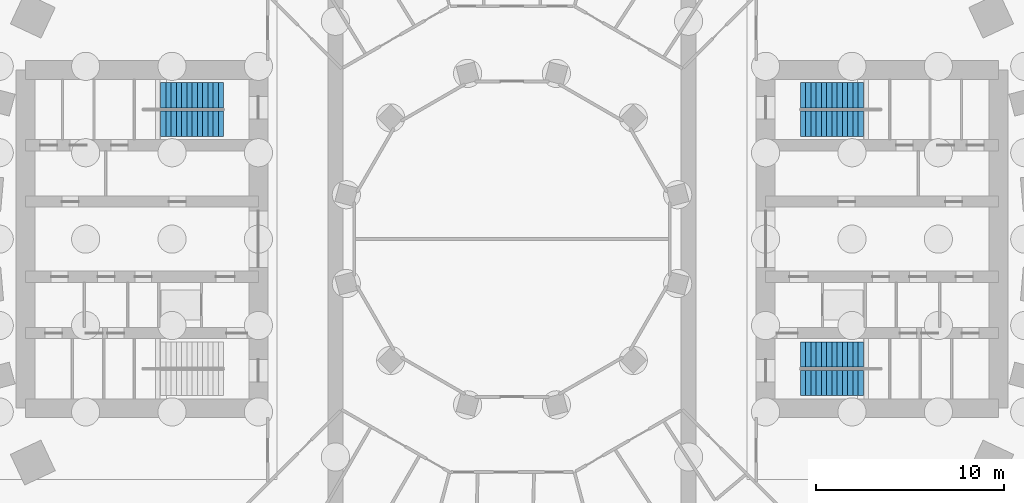
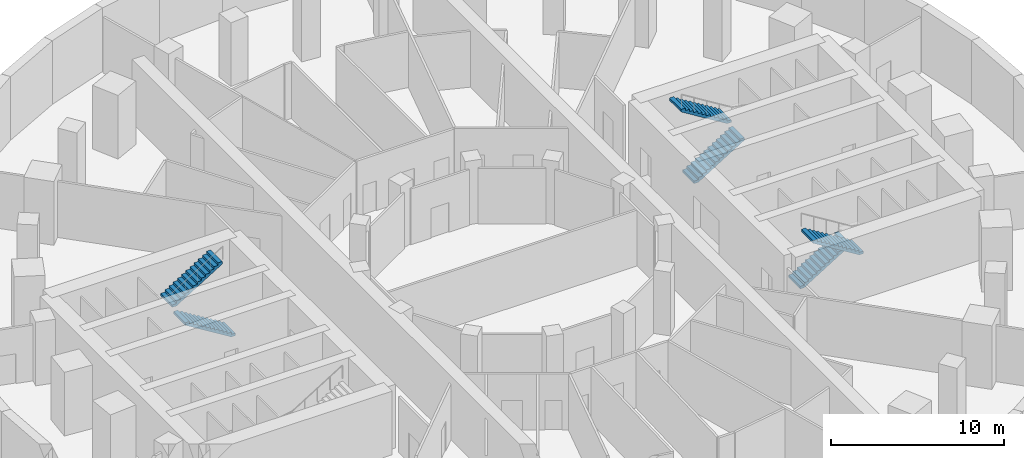
# One storey, part 8 of 10: 6 stair flights, 3 elements without a shape of their own.
"""IFC4 building model written with IfcOpenShell, lengths in metres."""

from ifc_helpers import new_model, si_unit, direction, frame, origin, place, context, subcontext, project, spatial, polyline, outline, extrude, material, type_object, element, aggregate, save


model = new_model("IFC4")

# Units and contexts
model_context = context("Model", 3, precision=1e-05, world=origin(), true_north=direction((0.0, 1.0)))
body_context = subcontext(model_context, "Body", "Model", "MODEL_VIEW")
ifc_project = project(units=[si_unit("LENGTHUNIT", "METRE"), si_unit("AREAUNIT", "SQUARE_METRE"), si_unit("VOLUMEUNIT", "CUBIC_METRE"), si_unit("PLANEANGLEUNIT", "RADIAN"), si_unit("MASSUNIT", "GRAM", prefix="KILO")], contexts=[model_context])

# Site, building, storey
site_placement = place(None, origin())
site = spatial("IfcSite", under=ifc_project, at=site_placement, CompositionType="ELEMENT")
building_placement = place(site_placement, origin())
building = spatial("IfcBuilding", under=site, at=building_placement, Name="Saqina Gate Tower", CompositionType="ELEMENT")
storey_placement = place(building_placement, frame((0.0, 0.0, -9.0)))
storey = spatial("IfcBuildingStorey", under=building, at=storey_placement, Name="B2", CompositionType="ELEMENT", Elevation=-9.0)

# Stair, stair flights
ifc_material_1 = material(Name="Concrete C40/50", Category="concrete")
stair_type = type_object("IfcStairType", Name="EXIT STAIR", PredefinedType="HALF_TURN_STAIR", material=ifc_material_1)
stair_1_placement = place(storey_placement, origin())
stair_1 = element("IfcStair", 1, at=stair_1_placement, inside=storey, type_object=stair_type, Name="EXIT STAIR 1", PredefinedType="HALF_TURN_STAIR")
ifc_material_2 = material(Name="Concrete C40/50", Category="concrete")
stair_flight_type = type_object("IfcStairFlightType", Name="EXIT STAIR FLIGHT", PredefinedType="STRAIGHT", material=ifc_material_2)
stair_flight_1_placement = place(storey_placement, frame((15.35009765625, 6.1416015625, 0.0), z_axis=(0.0, 0.0, 1.0), x_axis=(1.0, 0.0, 0.0)))
stair_flight_1 = element("IfcStairFlight", 2, at=stair_flight_1_placement, type_object=stair_flight_type, Name="EXIT STAIR 1 FLIGHT 1", NumberOfRisers=13, NumberOfTreads=12, PredefinedType="STRAIGHT", RiserHeight=0.173076923, TreadLength=0.28, context=body_context, shape_type="SweptSolid", body=[
    extrude(outline(polyline([(0.0, 0.0), (0.0, 0.173095703125), (0.280029296875, 0.173095703125), (0.280029296875, 0.34619140625), (0.56005859375, 0.34619140625), (0.56005859375, 0.519287109375), (0.840087890625, 0.519287109375), (0.840087890625, 0.6923828125), (1.1201171875, 0.6923828125), (1.1201171875, 0.865478515625), (1.39990234375, 0.865478515625), (1.39990234375, 1.03857421875), (1.679931640625, 1.03857421875), (1.679931640625, 1.21142578125), (1.9599609375, 1.21142578125), (1.9599609375, 1.384521484375), (2.239990234375, 1.384521484375), (2.239990234375, 1.5576171875), (2.52001953125, 1.5576171875), (2.52001953125, 1.730712890625), (2.800048828125, 1.730712890625), (2.800048828125, 1.90380859375), (3.080078125, 1.90380859375), (3.080078125, 2.076904296875), (3.360107421875, 2.076904296875), (3.360107421875, 2.25), (3.360107421875, 1.900634765625), (0.28515625, 0.0), (0.0, 0.0)])), frame((0.0, 0.675048828125, 0.0), z_axis=(0.0, -1.0, 0.0), x_axis=(1.0, 0.0, 0.0)), (0.0, 0.0, 1.0), 1.35009765625),
])
stair_flight_2_placement = place(storey_placement, frame((18.7099609375, 7.658447265625, 2.25), z_axis=(0.0, 0.0, 1.0), x_axis=(-1.0, 0.0, 0.0)))
stair_flight_2 = element("IfcStairFlight", 3, at=stair_flight_2_placement, type_object=stair_flight_type, Name="EXIT STAIR 1 FLIGHT 2", NumberOfRisers=13, NumberOfTreads=12, PredefinedType="STRAIGHT", RiserHeight=0.173076923, TreadLength=0.28, context=body_context, shape_type="SweptSolid", body=[
    extrude(outline(polyline([(0.0, 0.0), (0.0, 0.173095703125), (0.280029296875, 0.173095703125), (0.280029296875, 0.34619140625), (0.56005859375, 0.34619140625), (0.56005859375, 0.519287109375), (0.840087890625, 0.519287109375), (0.840087890625, 0.6923828125), (1.1201171875, 0.6923828125), (1.1201171875, 0.865478515625), (1.39990234375, 0.865478515625), (1.39990234375, 1.03857421875), (1.679931640625, 1.03857421875), (1.679931640625, 1.21142578125), (1.9599609375, 1.21142578125), (1.9599609375, 1.384521484375), (2.239990234375, 1.384521484375), (2.239990234375, 1.5576171875), (2.52001953125, 1.5576171875), (2.52001953125, 1.730712890625), (2.800048828125, 1.730712890625), (2.800048828125, 1.90380859375), (3.080078125, 1.90380859375), (3.080078125, 2.076904296875), (3.360107421875, 2.076904296875), (3.360107421875, 2.25), (3.360107421875, 1.900634765625), (0.28515625, 0.0), (0.0, 0.0)])), frame((0.0, 0.675048828125, 0.0), z_axis=(0.0, -1.0, 0.0), x_axis=(1.0, 0.0, 0.0)), (0.0, 0.0, 1.0), 1.35009765625),
])
aggregate(stair_1, [stair_flight_1, stair_flight_2])

stair_2_placement = place(storey_placement, origin())
stair_2 = element("IfcStair", 4, at=stair_2_placement, inside=storey, type_object=stair_type, Name="EXIT STAIR 2", PredefinedType="HALF_TURN_STAIR")
stair_flight_3_placement = place(storey_placement, frame((15.35009765625, -6.1416015625, 0.0), z_axis=(0.0, 0.0, 1.0), x_axis=(1.0, 0.0, 0.0)))
stair_flight_3 = element("IfcStairFlight", 5, at=stair_flight_3_placement, type_object=stair_flight_type, Name="EXIT STAIR 2 FLIGHT 1", NumberOfRisers=13, NumberOfTreads=12, PredefinedType="STRAIGHT", RiserHeight=0.173076923, TreadLength=0.28, context=body_context, shape_type="SweptSolid", body=[
    extrude(outline(polyline([(0.0, 0.0), (0.0, 0.173095703125), (0.280029296875, 0.173095703125), (0.280029296875, 0.34619140625), (0.56005859375, 0.34619140625), (0.56005859375, 0.519287109375), (0.840087890625, 0.519287109375), (0.840087890625, 0.6923828125), (1.1201171875, 0.6923828125), (1.1201171875, 0.865478515625), (1.39990234375, 0.865478515625), (1.39990234375, 1.03857421875), (1.679931640625, 1.03857421875), (1.679931640625, 1.21142578125), (1.9599609375, 1.21142578125), (1.9599609375, 1.384521484375), (2.239990234375, 1.384521484375), (2.239990234375, 1.5576171875), (2.52001953125, 1.5576171875), (2.52001953125, 1.730712890625), (2.800048828125, 1.730712890625), (2.800048828125, 1.90380859375), (3.080078125, 1.90380859375), (3.080078125, 2.076904296875), (3.360107421875, 2.076904296875), (3.360107421875, 2.25), (3.360107421875, 1.900634765625), (0.28515625, 0.0), (0.0, 0.0)])), frame((0.0, 0.675048828125, 0.0), z_axis=(0.0, -1.0, 0.0), x_axis=(1.0, 0.0, 0.0)), (0.0, 0.0, 1.0), 1.35009765625),
])
stair_flight_4_placement = place(storey_placement, frame((18.7099609375, -7.658447265625, 2.25), z_axis=(0.0, 0.0, 1.0), x_axis=(-1.0, 0.0, 0.0)))
stair_flight_4 = element("IfcStairFlight", 6, at=stair_flight_4_placement, type_object=stair_flight_type, Name="EXIT STAIR 2 FLIGHT 2", NumberOfRisers=13, NumberOfTreads=12, PredefinedType="STRAIGHT", RiserHeight=0.173076923, TreadLength=0.28, context=body_context, shape_type="SweptSolid", body=[
    extrude(outline(polyline([(0.0, 0.0), (0.0, 0.173095703125), (0.280029296875, 0.173095703125), (0.280029296875, 0.34619140625), (0.56005859375, 0.34619140625), (0.56005859375, 0.519287109375), (0.840087890625, 0.519287109375), (0.840087890625, 0.6923828125), (1.1201171875, 0.6923828125), (1.1201171875, 0.865478515625), (1.39990234375, 0.865478515625), (1.39990234375, 1.03857421875), (1.679931640625, 1.03857421875), (1.679931640625, 1.21142578125), (1.9599609375, 1.21142578125), (1.9599609375, 1.384521484375), (2.239990234375, 1.384521484375), (2.239990234375, 1.5576171875), (2.52001953125, 1.5576171875), (2.52001953125, 1.730712890625), (2.800048828125, 1.730712890625), (2.800048828125, 1.90380859375), (3.080078125, 1.90380859375), (3.080078125, 2.076904296875), (3.360107421875, 2.076904296875), (3.360107421875, 2.25), (3.360107421875, 1.900634765625), (0.28515625, 0.0), (0.0, 0.0)])), frame((0.0, 0.675048828125, 0.0), z_axis=(0.0, -1.0, 0.0), x_axis=(1.0, 0.0, 0.0)), (0.0, 0.0, 1.0), 1.35009765625),
])
aggregate(stair_2, [stair_flight_3, stair_flight_4])

stair_3_placement = place(storey_placement, origin())
stair_3 = element("IfcStair", 7, at=stair_3_placement, inside=storey, type_object=stair_type, Name="EXIT STAIR 3", PredefinedType="HALF_TURN_STAIR")
stair_flight_5_placement = place(storey_placement, frame((-15.35009765625, 6.1416015625, 0.0), z_axis=(0.0, 0.0, 1.0), x_axis=(-1.0, 0.0, 0.0)))
stair_flight_5 = element("IfcStairFlight", 8, at=stair_flight_5_placement, type_object=stair_flight_type, Name="EXIT STAIR 3 FLIGHT 1", NumberOfRisers=13, NumberOfTreads=12, PredefinedType="STRAIGHT", RiserHeight=0.173076923, TreadLength=0.28, context=body_context, shape_type="SweptSolid", body=[
    extrude(outline(polyline([(0.0, 0.0), (0.0, 0.173095703125), (0.280029296875, 0.173095703125), (0.280029296875, 0.34619140625), (0.56005859375, 0.34619140625), (0.56005859375, 0.519287109375), (0.840087890625, 0.519287109375), (0.840087890625, 0.6923828125), (1.1201171875, 0.6923828125), (1.1201171875, 0.865478515625), (1.39990234375, 0.865478515625), (1.39990234375, 1.03857421875), (1.679931640625, 1.03857421875), (1.679931640625, 1.21142578125), (1.9599609375, 1.21142578125), (1.9599609375, 1.384521484375), (2.239990234375, 1.384521484375), (2.239990234375, 1.5576171875), (2.52001953125, 1.5576171875), (2.52001953125, 1.730712890625), (2.800048828125, 1.730712890625), (2.800048828125, 1.90380859375), (3.080078125, 1.90380859375), (3.080078125, 2.076904296875), (3.360107421875, 2.076904296875), (3.360107421875, 2.25), (3.360107421875, 1.900634765625), (0.28515625, 0.0), (0.0, 0.0)])), frame((0.0, 0.675048828125, 0.0), z_axis=(0.0, -1.0, 0.0), x_axis=(1.0, 0.0, 0.0)), (0.0, 0.0, 1.0), 1.35009765625),
])
stair_flight_6_placement = place(storey_placement, frame((-18.7099609375, 7.658447265625, 2.25), z_axis=(0.0, 0.0, 1.0), x_axis=(1.0, 0.0, 0.0)))
stair_flight_6 = element("IfcStairFlight", 9, at=stair_flight_6_placement, type_object=stair_flight_type, Name="EXIT STAIR 3 FLIGHT 2", NumberOfRisers=13, NumberOfTreads=12, PredefinedType="STRAIGHT", RiserHeight=0.173076923, TreadLength=0.28, context=body_context, shape_type="SweptSolid", body=[
    extrude(outline(polyline([(0.0, 0.0), (0.0, 0.173095703125), (0.280029296875, 0.173095703125), (0.280029296875, 0.34619140625), (0.56005859375, 0.34619140625), (0.56005859375, 0.519287109375), (0.840087890625, 0.519287109375), (0.840087890625, 0.6923828125), (1.1201171875, 0.6923828125), (1.1201171875, 0.865478515625), (1.39990234375, 0.865478515625), (1.39990234375, 1.03857421875), (1.679931640625, 1.03857421875), (1.679931640625, 1.21142578125), (1.9599609375, 1.21142578125), (1.9599609375, 1.384521484375), (2.239990234375, 1.384521484375), (2.239990234375, 1.5576171875), (2.52001953125, 1.5576171875), (2.52001953125, 1.730712890625), (2.800048828125, 1.730712890625), (2.800048828125, 1.90380859375), (3.080078125, 1.90380859375), (3.080078125, 2.076904296875), (3.360107421875, 2.076904296875), (3.360107421875, 2.25), (3.360107421875, 1.900634765625), (0.28515625, 0.0), (0.0, 0.0)])), frame((0.0, 0.675048828125, 0.0), z_axis=(0.0, -1.0, 0.0), x_axis=(1.0, 0.0, 0.0)), (0.0, 0.0, 1.0), 1.35009765625),
])
aggregate(stair_3, [stair_flight_5, stair_flight_6])

save(model, "model.ifc")
